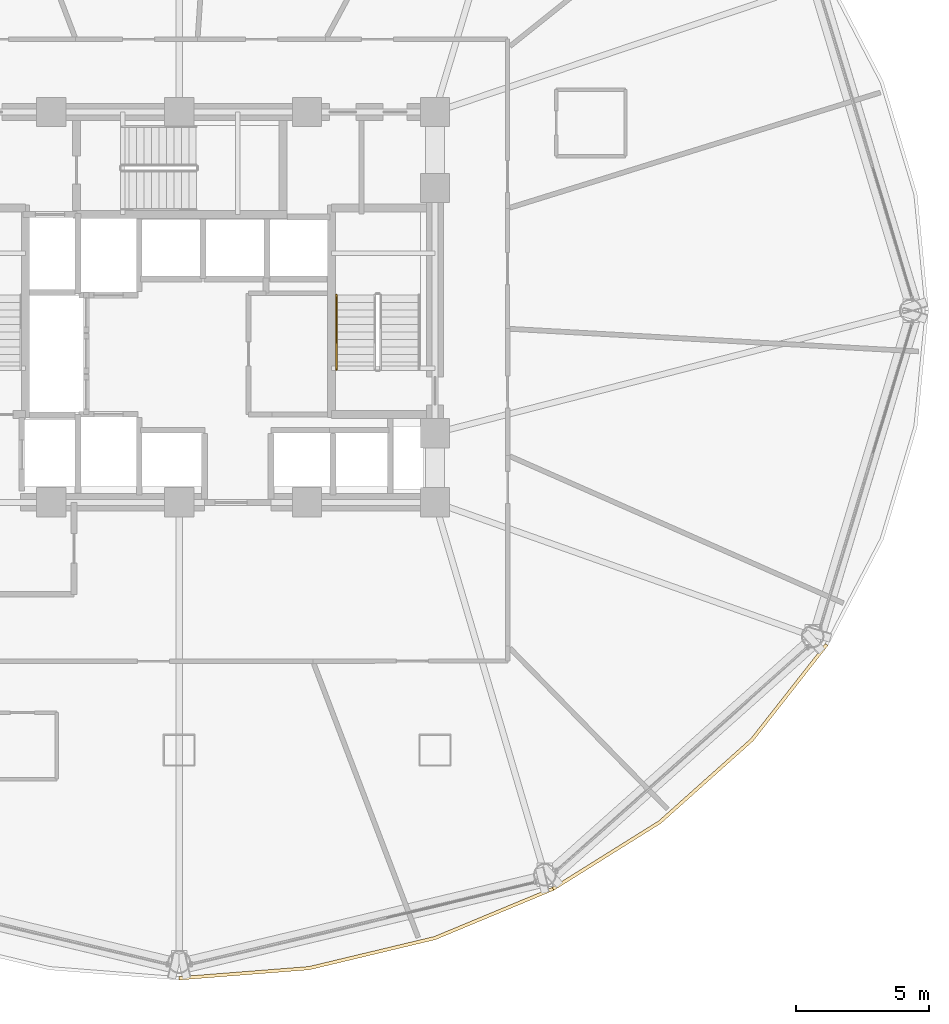
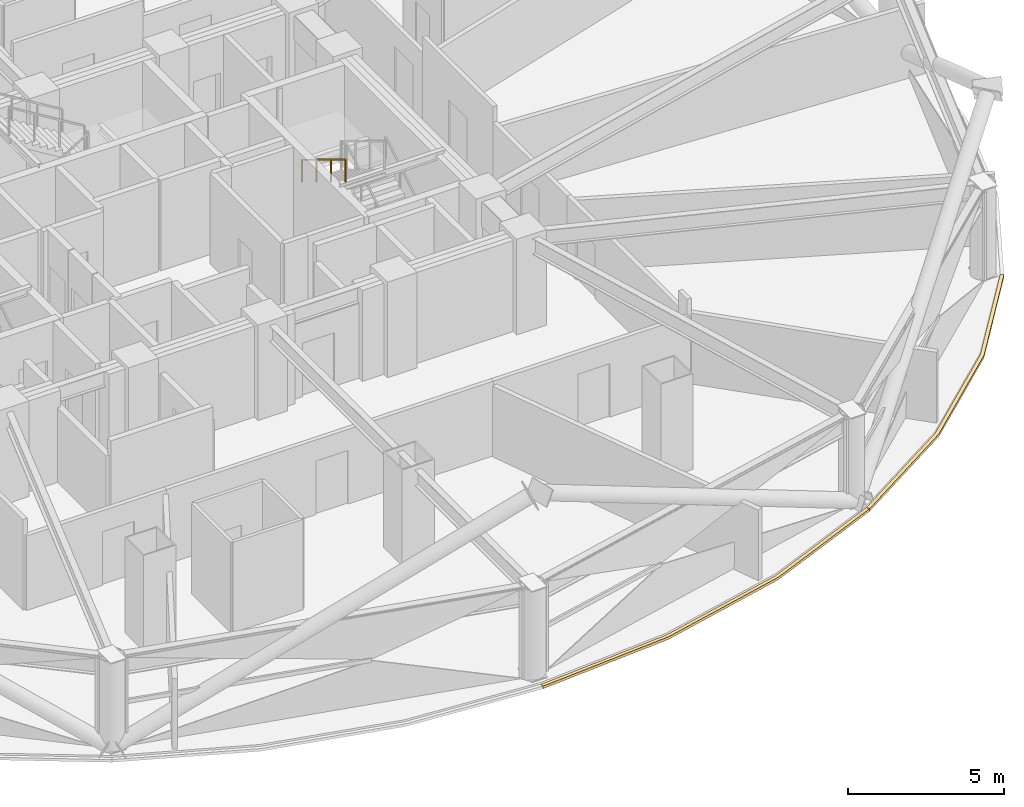
# One storey, part 28 of 30: 2 coverings, 1 railing.
"""IFC4 building model written with IfcOpenShell, lengths in metres."""

import ifcopenshell
import ifcopenshell.guid

model = None  # the IFC model being written
_history = None  # IfcOwnerHistory: only IFC2X3 demands one
_inside = {}  # id of a spatial element -> (the spatial element, [elements in it])
_under = {}  # id of a project, library or spatial element -> (it, [spatial elements below it])
_declared = {}  # id of a project -> (the project, [libraries it declares])
_typed = {}  # id of a type object -> (the type object, [elements of that type])
_made_of = {}  # id of a material, layer set ... -> (it, [elements and type objects made of it])


def new_model(schema):
    """Start an empty IFC model of exactly this schema.

    Asked for "IFC4X3", IfcOpenShell would pick the latest addendum, in which some entities
    have other attributes; the version numbers below select the first issue.
    IFC2X3 requires an IfcOwnerHistory on every rooted entity: one is made here for all.
    """
    global model, _history
    if schema == "IFC4X3":
        model = ifcopenshell.file(schema_version=(4, 3, 0, 0))
    else:
        model = ifcopenshell.file(schema=schema)
    _inside.clear()
    _under.clear()
    _declared.clear()
    _typed.clear()
    _made_of.clear()
    _history = None
    if model.schema == "IFC2X3":
        org = make("IfcOrganization", Name="unknown")
        user = make(
            "IfcPersonAndOrganization",
            ThePerson=make("IfcPerson", FamilyName="unknown"),
            TheOrganization=org,
        )
        app = make(
            "IfcApplication",
            ApplicationDeveloper=org,
            Version="unknown",
            ApplicationFullName="unknown",
            ApplicationIdentifier="unknown",
        )
        _history = make(
            "IfcOwnerHistory",
            OwningUser=user,
            OwningApplication=app,
            ChangeAction="ADDED",
            CreationDate=0,
        )
    return model


def make(cls, **values):
    """One entity of the class cls with the attributes given. An attribute that is None is left unset."""
    return model.create_entity(
        cls, **{name: value for name, value in values.items() if value is not None}
    )


def rooted(cls, **values):
    """An entity with a GlobalId (a new one), such as an element, a storey or a relation."""
    return make(cls, GlobalId=ifcopenshell.guid.new(), OwnerHistory=_history, **values)


def si_unit(unit_type, name, prefix=None):
    """IfcSIUnit, for example si_unit("LENGTHUNIT", "METRE", prefix="MILLI")."""
    return make("IfcSIUnit", UnitType=unit_type, Prefix=prefix, Name=name)


def assignment(units):
    """IfcUnitAssignment: the units of a project."""
    return None if units is None else make("IfcUnitAssignment", Units=units)


def point(xyz):
    """IfcCartesianPoint."""
    return None if xyz is None else make("IfcCartesianPoint", Coordinates=xyz)


def direction(xyz):
    """IfcDirection."""
    return None if xyz is None else make("IfcDirection", DirectionRatios=xyz)


def frame(location, z_axis=None, x_axis=None):
    """IfcAxis2Placement3D, a coordinate frame: its origin and axes. An axis left out is left unset."""
    return make(
        "IfcAxis2Placement3D",
        Location=point(location),
        Axis=direction(z_axis),
        RefDirection=direction(x_axis),
    )


def frame_2d(location, x_axis=None):
    """IfcAxis2Placement2D, a coordinate frame in the plane: its origin and x axis."""
    return make(
        "IfcAxis2Placement2D", Location=point(location), RefDirection=direction(x_axis)
    )


def origin():
    """The frame at (0, 0, 0) with its axes left unset."""
    return frame((0.0, 0.0, 0.0))


def origin_2d():
    """The frame at (0, 0) in the plane with its x axis left unset."""
    return frame_2d((0.0, 0.0))


def place(relative_to, where):
    """IfcLocalPlacement: puts the frame where relative to a parent placement (None: the world)."""
    return make(
        "IfcLocalPlacement", PlacementRelTo=relative_to, RelativePlacement=where
    )


def context(
    kind, dimensions, precision=None, world=None, true_north=None, identifier=None
):
    """IfcGeometricRepresentationContext, for example the 3D "Model" context."""
    return make(
        "IfcGeometricRepresentationContext",
        ContextIdentifier=identifier,
        ContextType=kind,
        CoordinateSpaceDimension=dimensions,
        Precision=precision,
        WorldCoordinateSystem=world,
        TrueNorth=true_north,
    )


def subcontext(parent, identifier, kind, view, scale=None):
    """IfcGeometricRepresentationSubContext, for example "Body" below "Model"."""
    return make(
        "IfcGeometricRepresentationSubContext",
        ContextIdentifier=identifier,
        ContextType=kind,
        ParentContext=parent,
        TargetScale=scale,
        TargetView=view,
    )


def project(units=None, contexts=None):
    """IfcProject with its units and contexts."""
    return rooted(
        "IfcProject",
        Name="project",
        RepresentationContexts=contexts,
        UnitsInContext=assignment(units),
    )


def spatial(cls, under=None, at=None, **own):
    """A site, building, storey or space (cls), placed at a placement, below another one or the project."""
    s = rooted(cls, ObjectPlacement=at, **own)
    if under is not None:
        _under.setdefault(under.id(), (under, []))[1].append(s)
    return s


def polyline(points):
    """IfcPolyline through the points."""
    return make("IfcPolyline", Points=[point(p) for p in points])


def profile(cls, at=None, kind="AREA", **sizes):
    """A parametric profile (cls). Its sizes go by their IFC names, for example OverallWidth=200.0."""
    return make(cls, ProfileType=kind, Position=at, **sizes)


def rectangle(**sizes):
    """IfcRectangleProfileDef."""
    return profile("IfcRectangleProfileDef", **sizes)


def outline(outer, holes=None, kind="AREA"):
    """IfcArbitraryClosedProfileDef: a profile drawn as a closed curve; with holes, ...WithVoids."""
    if holes is None:
        return make("IfcArbitraryClosedProfileDef", ProfileType=kind, OuterCurve=outer)
    return make(
        "IfcArbitraryProfileDefWithVoids",
        ProfileType=kind,
        OuterCurve=outer,
        InnerCurves=holes,
    )


def extrude(swept, where, along, depth):
    """IfcExtrudedAreaSolid: the profile swept, set in the frame where, extruded along a direction by depth."""
    return make(
        "IfcExtrudedAreaSolid",
        SweptArea=swept,
        Position=where,
        ExtrudedDirection=direction(along),
        Depth=depth,
    )


def shape(context_of_items, identifier, shape_type, items):
    """IfcShapeRepresentation: the items that make up one representation, for example the "Body"."""
    return make(
        "IfcShapeRepresentation",
        ContextOfItems=context_of_items,
        RepresentationIdentifier=identifier,
        RepresentationType=shape_type,
        Items=items,
    )


def material(Name=None, Category=None):
    """IfcMaterial."""
    return make("IfcMaterial", Name=Name, Category=Category)


def layer(
    of_material, thickness, ventilated=None, Name=None, Category=None, Priority=None
):
    """IfcMaterialLayer: one layer of a wall or slab, of a material (None: an air gap)."""
    return make(
        "IfcMaterialLayer",
        Material=of_material,
        LayerThickness=thickness,
        IsVentilated=ventilated,
        Name=Name,
        Category=Category,
        Priority=Priority,
    )


def layer_set(layers, Name=None):
    """IfcMaterialLayerSet."""
    return make("IfcMaterialLayerSet", MaterialLayers=layers, LayerSetName=Name)


def made_of(thing, what):
    """Note that an element or type object is made of a material, layer set ...; save() writes the relation."""
    if what is not None:
        _made_of.setdefault(what.id(), (what, []))[1].append(thing)
    return thing


def type_object(cls, material=None, **own):
    """A type object (cls), such as IfcWallType, which elements share."""
    return made_of(rooted(cls, **own), material)


def element(
    cls,
    number,
    at=None,
    inside=None,
    cuts=None,
    type_object=None,
    material=None,
    context=None,
    identifier="Body",
    shape_type=None,
    held_by="IfcProductDefinitionShape",
    body=None,
    shapes=None,
    **own,
):
    """One element of the class cls, such as IfcWall. Its Tag is "e" and its number.

    at: its placement. inside: the storey or other place that contains it. cuts: it is an
    opening in that element (IfcRelVoidsElement). A single representation is given by context,
    identifier, shape_type and body (its items); several are given by shapes. held_by: the class
    of the entity that holds the representations. save() writes the other relations.
    """
    e = rooted(cls, Tag="e%d" % number, ObjectPlacement=at, **own)
    if body is not None:
        shapes = [shape(context, identifier, shape_type, body)]
    if shapes is not None:
        e.Representation = make(held_by, Representations=shapes)
    if inside is not None:
        _inside.setdefault(inside.id(), (inside, []))[1].append(e)
    if cuts is not None:
        rooted(
            "IfcRelVoidsElement", RelatingBuildingElement=cuts, RelatedOpeningElement=e
        )
    if type_object is not None:
        _typed.setdefault(type_object.id(), (type_object, []))[1].append(e)
    return made_of(e, material)


def aggregate(whole, parts):
    """IfcRelAggregates: a whole, such as a stair, and the parts it consists of."""
    return rooted("IfcRelAggregates", RelatingObject=whole, RelatedObjects=parts)


def save(model, path):
    """Write the relations noted so far, then the file.

    IfcRelAggregates (storeys below a building ...), IfcRelContainedInSpatialStructure (elements
    in a storey), IfcRelDefinesByType, IfcRelAssociatesMaterial and IfcRelDeclares: one each for
    every whole, place, type object, material and project.
    """
    for whole, parts in _under.values():
        aggregate(whole, parts)
    for where, things in _inside.values():
        rooted(
            "IfcRelContainedInSpatialStructure",
            RelatedElements=things,
            RelatingStructure=where,
        )
    for kind, things in _typed.values():
        rooted("IfcRelDefinesByType", RelatedObjects=things, RelatingType=kind)
    for what, things in _made_of.values():
        rooted("IfcRelAssociatesMaterial", RelatedObjects=things, RelatingMaterial=what)
    for by, libraries in _declared.values():
        rooted("IfcRelDeclares", RelatingContext=by, RelatedDefinitions=libraries)
    model.write(path)


model = new_model("IFC4")

# Units and contexts
model_context = context("Model", 3, precision=1e-05, world=origin(), true_north=direction((0.0, 1.0)))
body_context = subcontext(model_context, "Body", "Model", "MODEL_VIEW")
ifc_project = project(units=[si_unit("LENGTHUNIT", "METRE"), si_unit("AREAUNIT", "SQUARE_METRE"), si_unit("VOLUMEUNIT", "CUBIC_METRE"), si_unit("PLANEANGLEUNIT", "RADIAN"), si_unit("MASSUNIT", "GRAM", prefix="KILO")], contexts=[model_context])

# Site, building, storey
site_placement = place(None, origin())
site = spatial("IfcSite", under=ifc_project, at=site_placement, CompositionType="ELEMENT")
building_placement = place(site_placement, origin())
building = spatial("IfcBuilding", under=site, at=building_placement, Name="Vantalir Tower", CompositionType="ELEMENT")
storey_placement = place(building_placement, frame((0.0, 0.0, 57.0)))
storey = spatial("IfcBuildingStorey", under=building, at=storey_placement, Name="L13", CompositionType="ELEMENT", Elevation=57.0)

# Coverings
ifc_material_1 = material(Name="Anodised champagne aluminium sill fascia", Category="aluminium")
ifc_layer = layer(ifc_material_1, 0.125)
ifc_layer_set = layer_set([ifc_layer], Name="Anodised champagne aluminium sill fascia")
covering_type = type_object("IfcCoveringType", Name="COV-SLAB-FASCIA-125", PredefinedType="CLADDING", material=ifc_layer_set)
covering_1_placement = place(storey_placement, frame((0.0, 0.0, -0.179931640625)))
element("IfcCovering", 1, at=covering_1_placement, inside=storey, type_object=covering_type, Name="L13 Perimeter Slab-Edge Sill Fascia 10", PredefinedType="CLADDING", context=body_context, shape_type="SweptSolid", body=[
    extrude(outline(polyline([(31.5, -0.1259765625), (36.384033203125, 0.256103515625), (41.1201171875, 1.388916015625), (45.56298828125, 3.239990234375), (45.5009765625, 3.347900390625), (41.076904296875, 1.507080078125), (36.362060546875, 0.37890625), (31.5, -0.0009765625), (31.5, -0.1259765625)])), origin(), (0.0, 0.0, 1.0), 0.10498046875),
])
covering_2_placement = place(storey_placement, frame((0.0, 0.0, -0.179931640625)))
element("IfcCovering", 2, at=covering_2_placement, inside=storey, type_object=covering_type, Name="L13 Perimeter Slab-Edge Sill Fascia 11", PredefinedType="CLADDING", context=body_context, shape_type="SweptSolid", body=[
    extrude(outline(polyline([(45.56298828125, 3.239990234375), (49.5791015625, 5.751953125), (53.0458984375, 8.84912109375), (55.85791015625, 12.43701171875), (55.75, 12.4990234375), (52.949951171875, 8.929931640625), (49.4990234375, 5.847900390625), (45.5009765625, 3.347900390625), (45.56298828125, 3.239990234375)])), origin(), (0.0, 0.0, 1.0), 0.10498046875),
])

# Railing
ifc_material_2 = material(Name="Brushed stainless steel tubular handrail", Category="steel")
railing_type = type_object("IfcRailingType", Name="RAL-HANDRAIL-900", PredefinedType="HANDRAIL", material=ifc_material_2)
railing_placement = place(storey_placement, frame((37.39990234375, 25.590087890625, 2.04541015625)))
element("IfcRailing", 3, at=railing_placement, inside=storey, type_object=railing_type, Name="L13 ST2 stair handrail 2", PredefinedType="HANDRAIL", context=body_context, shape_type="SweptSolid", body=[
    extrude(rectangle(XDim=0.048095703125, YDim=0.048095703125, at=origin_2d()), frame((0.0, 0.0, 0.8759765625), z_axis=(0.0, -0.854169791009, 0.51999420009), x_axis=(1.0, 0.0, 0.0)), (0.0, 0.0, 1.0), 3.278076171875),
    extrude(rectangle(XDim=0.0419921875, YDim=0.0419921875, at=origin_2d()), origin(), (0.0, 0.0, 1.0), 0.851806640625),
    extrude(rectangle(XDim=0.0419921875, YDim=0.0419921875, at=origin_2d()), frame((0.0, -0.933349609375, 0.568115234375)), (0.0, 0.0, 1.0), 0.851806640625),
    extrude(rectangle(XDim=0.0419921875, YDim=0.0419921875, at=origin_2d()), frame((0.0, -1.86669921875, 1.136474609375)), (0.0, 0.0, 1.0), 0.851806640625),
    extrude(rectangle(XDim=0.0419921875, YDim=0.0419921875, at=origin_2d()), frame((0.0, -2.800048828125, 1.70458984375)), (0.0, 0.0, 1.0), 0.851806640625),
])

save(model, "model.ifc")
